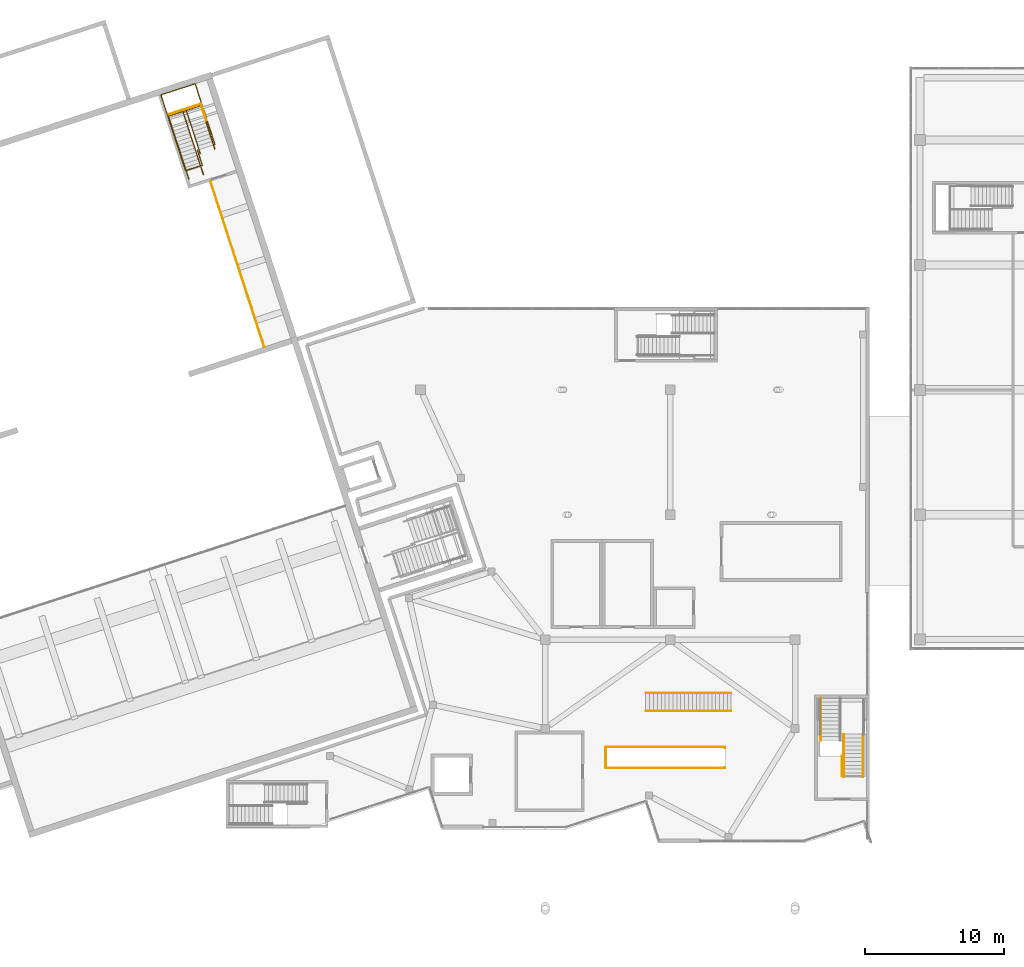
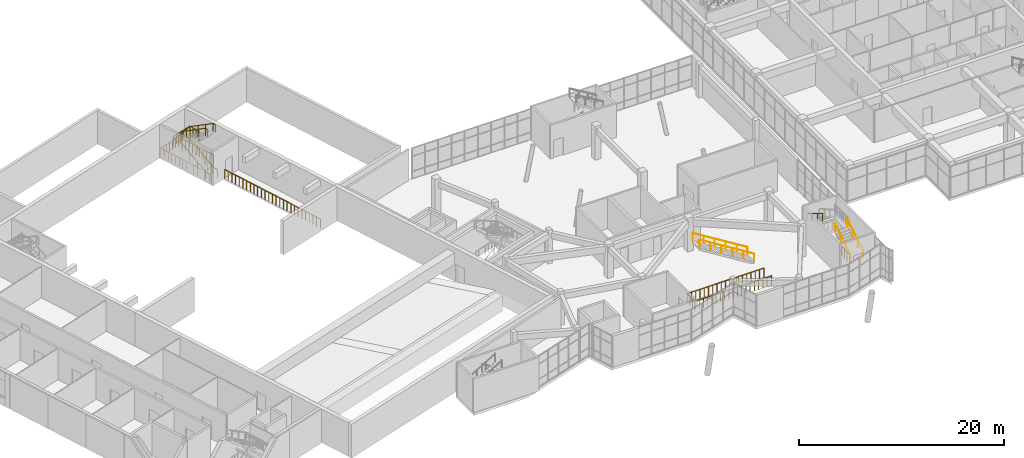
# One storey, part 63 of 66: 15 railings.
"""IFC4 building model written with IfcOpenShell, lengths in metres."""

from ifc_helpers import new_model, si_unit, direction, frame, origin, origin_2d, place, context, subcontext, project, spatial, circle, extrude, material, type_object, element, save


model = new_model("IFC4")

# Units and contexts
model_context = context("Model", 3, precision=1e-05, world=origin(), true_north=direction((0.0, 1.0)))
body_context = subcontext(model_context, "Body", "Model", "MODEL_VIEW")
ifc_project = project(units=[si_unit("LENGTHUNIT", "METRE"), si_unit("AREAUNIT", "SQUARE_METRE"), si_unit("VOLUMEUNIT", "CUBIC_METRE"), si_unit("PLANEANGLEUNIT", "RADIAN"), si_unit("MASSUNIT", "GRAM", prefix="KILO")], contexts=[model_context])

# Site, building, storey
site_placement = place(None, origin())
site = spatial("IfcSite", under=ifc_project, at=site_placement, CompositionType="ELEMENT")
building_placement = place(site_placement, origin())
building = spatial("IfcBuilding", under=site, at=building_placement, Name="Tuart Plaza Theatre", CompositionType="ELEMENT")
storey_placement = place(building_placement, frame((0.0, 0.0, 5.5)))
storey = spatial("IfcBuildingStorey", under=building, at=storey_placement, Name="L01", CompositionType="ELEMENT", Elevation=5.5)

# Railings
ifc_material_1 = material(Name="Steel Grade C350L0", Category="steel")
railing_type_1 = type_object("IfcRailingType", Name="RAILING Guard 1100", PredefinedType="GUARDRAIL", material=ifc_material_1)
railing_1_placement = place(storey_placement, frame((59.29833984375, 95.2548828125, 0.0)))
element("IfcRailing", 1, at=railing_1_placement, inside=storey, type_object=railing_type_1, Name="GR72", PredefinedType="GUARDRAIL", context=body_context, shape_type="SweptSolid", body=[
    extrude(circle(Radius=0.02490234375, at=origin_2d()), frame((0.0, 0.0, 1.0751953125), z_axis=(0.951068697047, 0.308979503362, 0.0), x_axis=(-0.308979503362, 0.951068697047, 0.0)), (0.0, 0.0, 1.0), 2.590087890625),
    extrude(circle(Radius=0.02490234375, at=origin_2d()), frame((2.46337890625, 0.80029296875, 1.0751953125), z_axis=(0.308998177192, -0.951062630163, 0.0), x_axis=(0.951062630163, 0.308998177192, 0.0)), (0.0, 0.0, 1.0), 4.5849609375),
    extrude(circle(Radius=0.02490234375, at=origin_2d()), frame((3.880126953125, -3.560302734375, 1.0751953125), z_axis=(-0.950834228174, -0.309700291463, 0.0), x_axis=(0.309700291463, -0.950834228174, 0.0)), (0.0, 0.0, 1.0), 0.044921875),
    extrude(circle(Radius=0.02001953125, at=origin_2d()), origin(), (0.0, 0.0, 1.0), 1.050048828125),
    extrude(circle(Radius=0.02001953125, at=origin_2d()), frame((0.41064453125, 0.13330078125, 0.0)), (0.0, 0.0, 1.0), 1.050048828125),
    extrude(circle(Radius=0.02001953125, at=origin_2d()), frame((0.821044921875, 0.266845703125, 0.0)), (0.0, 0.0, 1.0), 1.050048828125),
    extrude(circle(Radius=0.02001953125, at=origin_2d()), frame((1.231689453125, 0.400146484375, 0.0)), (0.0, 0.0, 1.0), 1.050048828125),
    extrude(circle(Radius=0.02001953125, at=origin_2d()), frame((1.642333984375, 0.533447265625, 0.0)), (0.0, 0.0, 1.0), 1.050048828125),
    extrude(circle(Radius=0.02001953125, at=origin_2d()), frame((2.052734375, 0.6669921875, 0.0)), (0.0, 0.0, 1.0), 1.050048828125),
    extrude(circle(Radius=0.02001953125, at=origin_2d()), frame((2.46337890625, 0.80029296875, 0.0)), (0.0, 0.0, 1.0), 1.050048828125),
    extrude(circle(Radius=0.02001953125, at=origin_2d()), frame((2.60498046875, 0.3642578125, 0.0)), (0.0, 0.0, 1.0), 1.050048828125),
    extrude(circle(Radius=0.02001953125, at=origin_2d()), frame((2.746826171875, -0.07177734375, 0.0)), (0.0, 0.0, 1.0), 1.050048828125),
    extrude(circle(Radius=0.02001953125, at=origin_2d()), frame((2.888427734375, -0.5078125, 0.0)), (0.0, 0.0, 1.0), 1.050048828125),
    extrude(circle(Radius=0.02001953125, at=origin_2d()), frame((3.030029296875, -0.94384765625, 0.0)), (0.0, 0.0, 1.0), 1.050048828125),
    extrude(circle(Radius=0.02001953125, at=origin_2d()), frame((3.171875, -1.3798828125, 0.0)), (0.0, 0.0, 1.0), 1.050048828125),
    extrude(circle(Radius=0.02001953125, at=origin_2d()), frame((3.3134765625, -1.816162109375, 0.0)), (0.0, 0.0, 1.0), 1.050048828125),
    extrude(circle(Radius=0.02001953125, at=origin_2d()), frame((3.455078125, -2.252197265625, 0.0)), (0.0, 0.0, 1.0), 1.050048828125),
    extrude(circle(Radius=0.02001953125, at=origin_2d()), frame((3.5966796875, -2.688232421875, 0.0)), (0.0, 0.0, 1.0), 1.050048828125),
    extrude(circle(Radius=0.02001953125, at=origin_2d()), frame((3.738525390625, -3.124267578125, 0.0)), (0.0, 0.0, 1.0), 1.050048828125),
    extrude(circle(Radius=0.02001953125, at=origin_2d()), frame((3.880126953125, -3.560302734375, 0.0)), (0.0, 0.0, 1.0), 1.050048828125),
    extrude(circle(Radius=0.02001953125, at=origin_2d()), frame((3.83740234375, -3.57421875, 0.0)), (0.0, 0.0, 1.0), 1.050048828125),
])
railing_2_placement = place(storey_placement, frame((61.919921875, 91.280517578125, 0.0)))
element("IfcRailing", 2, at=railing_2_placement, inside=storey, type_object=railing_type_1, Name="GR73", PredefinedType="GUARDRAIL", context=body_context, shape_type="SweptSolid", body=[
    extrude(circle(Radius=0.02490234375, at=origin_2d()), frame((0.0, 0.0, 1.0751953125), z_axis=(0.308990492345, -0.951065126918, 0.0), x_axis=(0.951065126918, 0.308990492345, 0.0)), (0.0, 0.0, 1.0), 1.1552734375),
    extrude(circle(Radius=0.02490234375, at=origin_2d()), frame((0.35693359375, -1.0986328125, 1.0751953125), z_axis=(-0.95106810125, -0.308981337277, 0.0), x_axis=(0.308981337277, -0.95106810125, 0.0)), (0.0, 0.0, 1.0), 1.26513671875),
    extrude(circle(Radius=0.02490234375, at=origin_2d()), frame((-0.84619140625, -1.489501953125, 1.0751953125), z_axis=(-0.309028417967, 0.951052804469, 0.0), x_axis=(-0.951052804469, -0.309028417967, 0.0)), (0.0, 0.0, 1.0), 5.7451171875),
    extrude(circle(Radius=0.02001953125, at=origin_2d()), origin(), (0.0, 0.0, 1.0), 1.050048828125),
    extrude(circle(Radius=0.02001953125, at=origin_2d()), frame((0.118896484375, -0.3662109375, 0.0)), (0.0, 0.0, 1.0), 1.050048828125),
    extrude(circle(Radius=0.02001953125, at=origin_2d()), frame((0.238037109375, -0.732421875, 0.0)), (0.0, 0.0, 1.0), 1.050048828125),
    extrude(circle(Radius=0.02001953125, at=origin_2d()), frame((0.35693359375, -1.0986328125, 0.0)), (0.0, 0.0, 1.0), 1.050048828125),
    extrude(circle(Radius=0.02001953125, at=origin_2d()), frame((-0.044189453125, -1.22900390625, 0.0)), (0.0, 0.0, 1.0), 1.050048828125),
    extrude(circle(Radius=0.02001953125, at=origin_2d()), frame((-0.445068359375, -1.359130859375, 0.0)), (0.0, 0.0, 1.0), 1.050048828125),
    extrude(circle(Radius=0.02001953125, at=origin_2d()), frame((-0.84619140625, -1.489501953125, 0.0)), (0.0, 0.0, 1.0), 1.050048828125),
    extrude(circle(Radius=0.02001953125, at=origin_2d()), frame((-0.994140625, -1.0341796875, 0.0)), (0.0, 0.0, 1.0), 1.050048828125),
    extrude(circle(Radius=0.02001953125, at=origin_2d()), frame((-1.14208984375, -0.578857421875, 0.0)), (0.0, 0.0, 1.0), 1.050048828125),
    extrude(circle(Radius=0.02001953125, at=origin_2d()), frame((-1.2900390625, -0.12353515625, 0.0)), (0.0, 0.0, 1.0), 1.050048828125),
    extrude(circle(Radius=0.02001953125, at=origin_2d()), frame((-1.43798828125, 0.331787109375, 0.0)), (0.0, 0.0, 1.0), 1.050048828125),
    extrude(circle(Radius=0.02001953125, at=origin_2d()), frame((-1.5859375, 0.787109375, 0.0)), (0.0, 0.0, 1.0), 1.050048828125),
    extrude(circle(Radius=0.02001953125, at=origin_2d()), frame((-1.73388671875, 1.242431640625, 0.0)), (0.0, 0.0, 1.0), 1.050048828125),
    extrude(circle(Radius=0.02001953125, at=origin_2d()), frame((-1.8818359375, 1.69775390625, 0.0)), (0.0, 0.0, 1.0), 1.050048828125),
    extrude(circle(Radius=0.02001953125, at=origin_2d()), frame((-2.02978515625, 2.153076171875, 0.0)), (0.0, 0.0, 1.0), 1.050048828125),
    extrude(circle(Radius=0.02001953125, at=origin_2d()), frame((-2.177734375, 2.6083984375, 0.0)), (0.0, 0.0, 1.0), 1.050048828125),
    extrude(circle(Radius=0.02001953125, at=origin_2d()), frame((-2.32568359375, 3.063720703125, 0.0)), (0.0, 0.0, 1.0), 1.050048828125),
    extrude(circle(Radius=0.02001953125, at=origin_2d()), frame((-2.4736328125, 3.51904296875, 0.0)), (0.0, 0.0, 1.0), 1.050048828125),
    extrude(circle(Radius=0.02001953125, at=origin_2d()), frame((-2.62158203125, 3.974365234375, 0.0)), (0.0, 0.0, 1.0), 1.050048828125),
])
railing_3_placement = place(storey_placement, frame((59.880615234375, 93.85107421875, 2.0)))
element("IfcRailing", 3, at=railing_3_placement, inside=storey, type_object=railing_type_1, Name="GR78", PredefinedType="GUARDRAIL", context=body_context, shape_type="SweptSolid", body=[
    extrude(circle(Radius=0.02490234375, at=origin_2d()), frame((0.0, 0.0, 1.0751953125), z_axis=(0.951066681605, 0.308985707017, 0.0), x_axis=(-0.308985707017, 0.951066681605, 0.0)), (0.0, 0.0, 1.0), 2.420166015625),
    extrude(circle(Radius=0.02001953125, at=origin_2d()), origin(), (0.0, 0.0, 1.0), 1.050048828125),
    extrude(circle(Radius=0.02001953125, at=origin_2d()), frame((0.46044921875, 0.149658203125, 0.0)), (0.0, 0.0, 1.0), 1.050048828125),
    extrude(circle(Radius=0.02001953125, at=origin_2d()), frame((0.920654296875, 0.299072265625, 0.0)), (0.0, 0.0, 1.0), 1.050048828125),
    extrude(circle(Radius=0.02001953125, at=origin_2d()), frame((1.381103515625, 0.44873046875, 0.0)), (0.0, 0.0, 1.0), 1.050048828125),
    extrude(circle(Radius=0.02001953125, at=origin_2d()), frame((1.84130859375, 0.59814453125, 0.0)), (0.0, 0.0, 1.0), 1.050048828125),
    extrude(circle(Radius=0.02001953125, at=origin_2d()), frame((2.3017578125, 0.747802734375, 0.0)), (0.0, 0.0, 1.0), 1.050048828125),
])
railing_4_placement = place(storey_placement, frame((62.182373046875, 94.598876953125, 2.0)))
element("IfcRailing", 4, at=railing_4_placement, inside=storey, type_object=railing_type_1, Name="GR79", PredefinedType="GUARDRAIL", context=body_context, shape_type="SweptSolid", body=[
    extrude(circle(Radius=0.02490234375, at=origin_2d()), frame((0.0, 0.0, 1.0751953125), z_axis=(0.309072606719, -0.951038444952, 0.0), x_axis=(0.951038444952, 0.309072606719, 0.0)), (0.0, 0.0, 1.0), 1.22998046875),
    extrude(circle(Radius=0.02001953125, at=origin_2d()), origin(), (0.0, 0.0, 1.0), 1.050048828125),
    extrude(circle(Radius=0.02001953125, at=origin_2d()), frame((0.126708984375, -0.389892578125, 0.0)), (0.0, 0.0, 1.0), 1.050048828125),
    extrude(circle(Radius=0.02001953125, at=origin_2d()), frame((0.25341796875, -0.77978515625, 0.0)), (0.0, 0.0, 1.0), 1.050048828125),
    extrude(circle(Radius=0.02001953125, at=origin_2d()), frame((0.380126953125, -1.169677734375, 0.0)), (0.0, 0.0, 1.0), 1.050048828125),
])
railing_5_placement = place(storey_placement, frame((66.750244140625, 77.09375, 0.0)))
element("IfcRailing", 5, at=railing_5_placement, inside=storey, type_object=railing_type_1, Name="GR114", PredefinedType="GUARDRAIL", context=body_context, shape_type="SweptSolid", body=[
    extrude(circle(Radius=0.02490234375, at=origin_2d()), frame((0.0, 0.0, 1.0751953125), z_axis=(-0.309017011458, 0.951056510744, 0.0), x_axis=(-0.951056510744, -0.309017011458, 0.0)), (0.0, 0.0, 1.0), 12.550048828125),
    extrude(circle(Radius=0.02001953125, at=origin_2d()), origin(), (0.0, 0.0, 1.0), 1.050048828125),
    extrude(circle(Radius=0.02001953125, at=origin_2d()), frame((-0.149169921875, 0.458984375, 0.0)), (0.0, 0.0, 1.0), 1.050048828125),
    extrude(circle(Radius=0.02001953125, at=origin_2d()), frame((-0.29833984375, 0.918212890625, 0.0)), (0.0, 0.0, 1.0), 1.050048828125),
    extrude(circle(Radius=0.02001953125, at=origin_2d()), frame((-0.447509765625, 1.377197265625, 0.0)), (0.0, 0.0, 1.0), 1.050048828125),
    extrude(circle(Radius=0.02001953125, at=origin_2d()), frame((-0.5966796875, 1.836181640625, 0.0)), (0.0, 0.0, 1.0), 1.050048828125),
    extrude(circle(Radius=0.02001953125, at=origin_2d()), frame((-0.745849609375, 2.29541015625, 0.0)), (0.0, 0.0, 1.0), 1.050048828125),
    extrude(circle(Radius=0.02001953125, at=origin_2d()), frame((-0.89501953125, 2.75439453125, 0.0)), (0.0, 0.0, 1.0), 1.050048828125),
    extrude(circle(Radius=0.02001953125, at=origin_2d()), frame((-1.044189453125, 3.21337890625, 0.0)), (0.0, 0.0, 1.0), 1.050048828125),
    extrude(circle(Radius=0.02001953125, at=origin_2d()), frame((-1.193359375, 3.672607421875, 0.0)), (0.0, 0.0, 1.0), 1.050048828125),
    extrude(circle(Radius=0.02001953125, at=origin_2d()), frame((-1.342529296875, 4.131591796875, 0.0)), (0.0, 0.0, 1.0), 1.050048828125),
    extrude(circle(Radius=0.02001953125, at=origin_2d()), frame((-1.49169921875, 4.590576171875, 0.0)), (0.0, 0.0, 1.0), 1.050048828125),
    extrude(circle(Radius=0.02001953125, at=origin_2d()), frame((-1.640869140625, 5.0498046875, 0.0)), (0.0, 0.0, 1.0), 1.050048828125),
    extrude(circle(Radius=0.02001953125, at=origin_2d()), frame((-1.7900390625, 5.5087890625, 0.0)), (0.0, 0.0, 1.0), 1.050048828125),
    extrude(circle(Radius=0.02001953125, at=origin_2d()), frame((-1.93896484375, 5.9677734375, 0.0)), (0.0, 0.0, 1.0), 1.050048828125),
    extrude(circle(Radius=0.02001953125, at=origin_2d()), frame((-2.088134765625, 6.427001953125, 0.0)), (0.0, 0.0, 1.0), 1.050048828125),
    extrude(circle(Radius=0.02001953125, at=origin_2d()), frame((-2.2373046875, 6.885986328125, 0.0)), (0.0, 0.0, 1.0), 1.050048828125),
    extrude(circle(Radius=0.02001953125, at=origin_2d()), frame((-2.386474609375, 7.34521484375, 0.0)), (0.0, 0.0, 1.0), 1.050048828125),
    extrude(circle(Radius=0.02001953125, at=origin_2d()), frame((-2.53564453125, 7.80419921875, 0.0)), (0.0, 0.0, 1.0), 1.050048828125),
    extrude(circle(Radius=0.02001953125, at=origin_2d()), frame((-2.684814453125, 8.26318359375, 0.0)), (0.0, 0.0, 1.0), 1.050048828125),
    extrude(circle(Radius=0.02001953125, at=origin_2d()), frame((-2.833984375, 8.722412109375, 0.0)), (0.0, 0.0, 1.0), 1.050048828125),
    extrude(circle(Radius=0.02001953125, at=origin_2d()), frame((-2.983154296875, 9.181396484375, 0.0)), (0.0, 0.0, 1.0), 1.050048828125),
    extrude(circle(Radius=0.02001953125, at=origin_2d()), frame((-3.13232421875, 9.640380859375, 0.0)), (0.0, 0.0, 1.0), 1.050048828125),
    extrude(circle(Radius=0.02001953125, at=origin_2d()), frame((-3.281494140625, 10.099609375, 0.0)), (0.0, 0.0, 1.0), 1.050048828125),
    extrude(circle(Radius=0.02001953125, at=origin_2d()), frame((-3.4306640625, 10.55859375, 0.0)), (0.0, 0.0, 1.0), 1.050048828125),
    extrude(circle(Radius=0.02001953125, at=origin_2d()), frame((-3.579833984375, 11.017578125, 0.0)), (0.0, 0.0, 1.0), 1.050048828125),
    extrude(circle(Radius=0.02001953125, at=origin_2d()), frame((-3.72900390625, 11.476806640625, 0.0)), (0.0, 0.0, 1.0), 1.050048828125),
    extrude(circle(Radius=0.02001953125, at=origin_2d()), frame((-3.878173828125, 11.935791015625, 0.0)), (0.0, 0.0, 1.0), 1.050048828125),
])
railing_6_placement = place(storey_placement, frame((108.3798828125, 46.159912109375, 0.0)))
element("IfcRailing", 6, at=railing_6_placement, inside=storey, type_object=railing_type_1, Name="GR143", PredefinedType="GUARDRAIL", context=body_context, shape_type="SweptSolid", body=[
    extrude(circle(Radius=0.02490234375, at=origin_2d()), frame((0.0, 0.0, 1.0751953125), z_axis=(0.0, 1.0, 0.0), x_axis=(-1.0, 0.0, 0.0)), (0.0, 0.0, 1.0), 1.455078125),
    extrude(circle(Radius=0.02001953125, at=origin_2d()), origin(), (0.0, 0.0, 1.0), 1.050048828125),
    extrude(circle(Radius=0.02001953125, at=origin_2d()), frame((0.0, 0.485107421875, 0.0)), (0.0, 0.0, 1.0), 1.050048828125),
    extrude(circle(Radius=0.02001953125, at=origin_2d()), frame((0.0, 0.969970703125, 0.0)), (0.0, 0.0, 1.0), 1.050048828125),
    extrude(circle(Radius=0.02001953125, at=origin_2d()), frame((0.0, 1.455078125, 0.0)), (0.0, 0.0, 1.0), 1.050048828125),
])
railing_7_placement = place(storey_placement, frame((91.360107421875, 46.75, 0.0)))
element("IfcRailing", 7, at=railing_7_placement, inside=storey, type_object=railing_type_1, Name="GR175", PredefinedType="GUARDRAIL", context=body_context, shape_type="SweptSolid", body=[
    extrude(circle(Radius=0.02490234375, at=origin_2d()), frame((0.0, 0.0, 1.0751953125), z_axis=(1.0, 0.0, 0.0), x_axis=(0.0, 1.0, 0.0)), (0.0, 0.0, 1.0), 8.599853515625),
    extrude(circle(Radius=0.02490234375, at=origin_2d()), frame((8.599853515625, 0.0, 1.0751953125), z_axis=(0.0, 1.0, 0.0), x_axis=(-1.0, 0.0, 0.0)), (0.0, 0.0, 1.0), 0.044921875),
    extrude(circle(Radius=0.02001953125, at=origin_2d()), origin(), (0.0, 0.0, 1.0), 1.050048828125),
    extrude(circle(Radius=0.02001953125, at=origin_2d()), frame((0.477783203125, 0.0, 0.0)), (0.0, 0.0, 1.0), 1.050048828125),
    extrude(circle(Radius=0.02001953125, at=origin_2d()), frame((0.95556640625, 0.0, 0.0)), (0.0, 0.0, 1.0), 1.050048828125),
    extrude(circle(Radius=0.02001953125, at=origin_2d()), frame((1.433349609375, 0.0, 0.0)), (0.0, 0.0, 1.0), 1.050048828125),
    extrude(circle(Radius=0.02001953125, at=origin_2d()), frame((1.9111328125, 0.0, 0.0)), (0.0, 0.0, 1.0), 1.050048828125),
    extrude(circle(Radius=0.02001953125, at=origin_2d()), frame((2.388916015625, 0.0, 0.0)), (0.0, 0.0, 1.0), 1.050048828125),
    extrude(circle(Radius=0.02001953125, at=origin_2d()), frame((2.86669921875, 0.0, 0.0)), (0.0, 0.0, 1.0), 1.050048828125),
    extrude(circle(Radius=0.02001953125, at=origin_2d()), frame((3.344482421875, 0.0, 0.0)), (0.0, 0.0, 1.0), 1.050048828125),
    extrude(circle(Radius=0.02001953125, at=origin_2d()), frame((3.822265625, 0.0, 0.0)), (0.0, 0.0, 1.0), 1.050048828125),
    extrude(circle(Radius=0.02001953125, at=origin_2d()), frame((4.2998046875, 0.0, 0.0)), (0.0, 0.0, 1.0), 1.050048828125),
    extrude(circle(Radius=0.02001953125, at=origin_2d()), frame((4.777587890625, 0.0, 0.0)), (0.0, 0.0, 1.0), 1.050048828125),
    extrude(circle(Radius=0.02001953125, at=origin_2d()), frame((5.25537109375, 0.0, 0.0)), (0.0, 0.0, 1.0), 1.050048828125),
    extrude(circle(Radius=0.02001953125, at=origin_2d()), frame((5.733154296875, 0.0, 0.0)), (0.0, 0.0, 1.0), 1.050048828125),
    extrude(circle(Radius=0.02001953125, at=origin_2d()), frame((6.2109375, 0.0, 0.0)), (0.0, 0.0, 1.0), 1.050048828125),
    extrude(circle(Radius=0.02001953125, at=origin_2d()), frame((6.688720703125, 0.0, 0.0)), (0.0, 0.0, 1.0), 1.050048828125),
    extrude(circle(Radius=0.02001953125, at=origin_2d()), frame((7.16650390625, 0.0, 0.0)), (0.0, 0.0, 1.0), 1.050048828125),
    extrude(circle(Radius=0.02001953125, at=origin_2d()), frame((7.644287109375, 0.0, 0.0)), (0.0, 0.0, 1.0), 1.050048828125),
    extrude(circle(Radius=0.02001953125, at=origin_2d()), frame((8.1220703125, 0.0, 0.0)), (0.0, 0.0, 1.0), 1.050048828125),
    extrude(circle(Radius=0.02001953125, at=origin_2d()), frame((8.599853515625, 0.0, 0.0)), (0.0, 0.0, 1.0), 1.050048828125),
    extrude(circle(Radius=0.02001953125, at=origin_2d()), frame((8.599853515625, 0.044921875, 0.0)), (0.0, 0.0, 1.0), 1.050048828125),
])
railing_8_placement = place(storey_placement, frame((99.9599609375, 48.205078125, 0.0)))
element("IfcRailing", 8, at=railing_8_placement, inside=storey, type_object=railing_type_1, Name="GR176", PredefinedType="GUARDRAIL", context=body_context, shape_type="SweptSolid", body=[
    extrude(circle(Radius=0.02490234375, at=origin_2d()), frame((0.0, 0.0, 1.0751953125), z_axis=(0.0, 1.0, 0.0), x_axis=(-1.0, 0.0, 0.0)), (0.0, 0.0, 1.0), 0.044921875),
    extrude(circle(Radius=0.02490234375, at=origin_2d()), frame((0.0, 0.044921875, 1.0751953125), z_axis=(-1.0, 0.0, 0.0), x_axis=(0.0, -1.0, 0.0)), (0.0, 0.0, 1.0), 8.599853515625),
    extrude(circle(Radius=0.02490234375, at=origin_2d()), frame((-8.599853515625, 0.044921875, 1.0751953125), z_axis=(0.0, -1.0, 0.0), x_axis=(1.0, 0.0, 0.0)), (0.0, 0.0, 1.0), 1.5),
    extrude(circle(Radius=0.02001953125, at=origin_2d()), origin(), (0.0, 0.0, 1.0), 1.050048828125),
    extrude(circle(Radius=0.02001953125, at=origin_2d()), frame((0.0, 0.044921875, 0.0)), (0.0, 0.0, 1.0), 1.050048828125),
    extrude(circle(Radius=0.02001953125, at=origin_2d()), frame((-0.477783203125, 0.044921875, 0.0)), (0.0, 0.0, 1.0), 1.050048828125),
    extrude(circle(Radius=0.02001953125, at=origin_2d()), frame((-0.95556640625, 0.044921875, 0.0)), (0.0, 0.0, 1.0), 1.050048828125),
    extrude(circle(Radius=0.02001953125, at=origin_2d()), frame((-1.433349609375, 0.044921875, 0.0)), (0.0, 0.0, 1.0), 1.050048828125),
    extrude(circle(Radius=0.02001953125, at=origin_2d()), frame((-1.9111328125, 0.044921875, 0.0)), (0.0, 0.0, 1.0), 1.050048828125),
    extrude(circle(Radius=0.02001953125, at=origin_2d()), frame((-2.388916015625, 0.044921875, 0.0)), (0.0, 0.0, 1.0), 1.050048828125),
    extrude(circle(Radius=0.02001953125, at=origin_2d()), frame((-2.86669921875, 0.044921875, 0.0)), (0.0, 0.0, 1.0), 1.050048828125),
    extrude(circle(Radius=0.02001953125, at=origin_2d()), frame((-3.344482421875, 0.044921875, 0.0)), (0.0, 0.0, 1.0), 1.050048828125),
    extrude(circle(Radius=0.02001953125, at=origin_2d()), frame((-3.822265625, 0.044921875, 0.0)), (0.0, 0.0, 1.0), 1.050048828125),
    extrude(circle(Radius=0.02001953125, at=origin_2d()), frame((-4.2998046875, 0.044921875, 0.0)), (0.0, 0.0, 1.0), 1.050048828125),
    extrude(circle(Radius=0.02001953125, at=origin_2d()), frame((-4.777587890625, 0.044921875, 0.0)), (0.0, 0.0, 1.0), 1.050048828125),
    extrude(circle(Radius=0.02001953125, at=origin_2d()), frame((-5.25537109375, 0.044921875, 0.0)), (0.0, 0.0, 1.0), 1.050048828125),
    extrude(circle(Radius=0.02001953125, at=origin_2d()), frame((-5.733154296875, 0.044921875, 0.0)), (0.0, 0.0, 1.0), 1.050048828125),
    extrude(circle(Radius=0.02001953125, at=origin_2d()), frame((-6.2109375, 0.044921875, 0.0)), (0.0, 0.0, 1.0), 1.050048828125),
    extrude(circle(Radius=0.02001953125, at=origin_2d()), frame((-6.688720703125, 0.044921875, 0.0)), (0.0, 0.0, 1.0), 1.050048828125),
    extrude(circle(Radius=0.02001953125, at=origin_2d()), frame((-7.16650390625, 0.044921875, 0.0)), (0.0, 0.0, 1.0), 1.050048828125),
    extrude(circle(Radius=0.02001953125, at=origin_2d()), frame((-7.644287109375, 0.044921875, 0.0)), (0.0, 0.0, 1.0), 1.050048828125),
    extrude(circle(Radius=0.02001953125, at=origin_2d()), frame((-8.1220703125, 0.044921875, 0.0)), (0.0, 0.0, 1.0), 1.050048828125),
    extrude(circle(Radius=0.02001953125, at=origin_2d()), frame((-8.599853515625, 0.044921875, 0.0)), (0.0, 0.0, 1.0), 1.050048828125),
    extrude(circle(Radius=0.02001953125, at=origin_2d()), frame((-8.599853515625, -0.455078125, 0.0)), (0.0, 0.0, 1.0), 1.050048828125),
    extrude(circle(Radius=0.02001953125, at=origin_2d()), frame((-8.599853515625, -0.955078125, 0.0)), (0.0, 0.0, 1.0), 1.050048828125),
    extrude(circle(Radius=0.02001953125, at=origin_2d()), frame((-8.599853515625, -1.455078125, 0.0)), (0.0, 0.0, 1.0), 1.050048828125),
])
ifc_material_2 = material(Name="Steel Grade C350L0", Category="steel")
railing_type_2 = type_object("IfcRailingType", Name="RAILING Handrail 900", PredefinedType="HANDRAIL", material=ifc_material_2)
railing_9_placement = place(storey_placement, frame((62.36181640625, 89.515625, 0.0)))
element("IfcRailing", 9, at=railing_9_placement, inside=storey, type_object=railing_type_2, Name="HR43", PredefinedType="HANDRAIL", context=body_context, shape_type="SweptSolid", body=[
    extrude(circle(Radius=0.0224609375, at=origin_2d()), frame((0.0, 0.0, 0.87744140625), z_axis=(-0.297609553916, 0.916355108697, 0.267809387779), x_axis=(-0.951096855055, -0.308892816854, 0.0)), (0.0, 0.0, 1.0), 0.62255859375),
    extrude(circle(Radius=0.0224609375, at=origin_2d()), frame((-0.185302734375, 0.570556640625, 1.044189453125), z_axis=(-0.265561944864, 0.817255136299, 0.511440021541), x_axis=(-0.951049794196, -0.309037682104, 0.0)), (0.0, 0.0, 1.0), 3.58447265625),
    extrude(circle(Radius=0.0224609375, at=origin_2d()), frame((-1.13720703125, 3.5, 2.87744140625), z_axis=(-0.308960600764, 0.951074837842, 0.0), x_axis=(-0.951074837842, -0.308960600764, 0.0)), (0.0, 0.0, 1.0), 1.099853515625),
    extrude(circle(Radius=0.0224609375, at=origin_2d()), frame((-1.47705078125, 4.546142578125, 2.87744140625), z_axis=(0.705499316443, 0.228888895273, 0.670731382984), x_axis=(-0.308600224758, 0.951191832008, 0.0)), (0.0, 0.0, 1.0), 0.337158203125),
    extrude(circle(Radius=0.0224609375, at=origin_2d()), frame((-1.2392578125, 4.623291015625, 3.103515625), z_axis=(0.265533988883, -0.817228016156, 0.511497869359), x_axis=(0.951056341824, 0.309017531343, 0.0)), (0.0, 0.0, 1.0), 3.468017578125),
    extrude(circle(Radius=0.0224609375, at=origin_2d()), frame((-0.318359375, 1.7890625, 4.87744140625), z_axis=(0.309380609282, -0.950938293792, 0.0), x_axis=(0.950938293792, 0.309380609282, 0.0)), (0.0, 0.0, 1.0), 0.2998046875),
    extrude(circle(Radius=0.01513671875, at=origin_2d()), origin(), (0.0, 0.0, 1.0), 0.85498046875),
    extrude(circle(Radius=0.01513671875, at=origin_2d()), frame((-0.185302734375, 0.570556640625, 0.166748046875)), (0.0, 0.0, 1.0), 0.85498046875),
    extrude(circle(Radius=0.01513671875, at=origin_2d()), frame((-0.502685546875, 1.547119140625, 0.77783203125)), (0.0, 0.0, 1.0), 0.85498046875),
    extrude(circle(Radius=0.01513671875, at=origin_2d()), frame((-0.81982421875, 2.5234375, 1.388916015625)), (0.0, 0.0, 1.0), 0.85498046875),
    extrude(circle(Radius=0.01513671875, at=origin_2d()), frame((-1.13720703125, 3.5, 2.0)), (0.0, 0.0, 1.0), 0.85498046875),
    extrude(circle(Radius=0.01513671875, at=origin_2d()), frame((-1.47705078125, 4.546142578125, 2.0)), (0.0, 0.0, 1.0), 0.85498046875),
    extrude(circle(Radius=0.01513671875, at=origin_2d()), frame((-1.2392578125, 4.623291015625, 2.22607421875)), (0.0, 0.0, 1.0), 0.85498046875),
    extrude(circle(Radius=0.01513671875, at=origin_2d()), frame((-0.932373046875, 3.678466796875, 2.8173828125)), (0.0, 0.0, 1.0), 0.85498046875),
    extrude(circle(Radius=0.01513671875, at=origin_2d()), frame((-0.625244140625, 2.73388671875, 3.40869140625)), (0.0, 0.0, 1.0), 0.85498046875),
    extrude(circle(Radius=0.01513671875, at=origin_2d()), frame((-0.318359375, 1.7890625, 4.0)), (0.0, 0.0, 1.0), 0.85498046875),
    extrude(circle(Radius=0.01513671875, at=origin_2d()), frame((-0.2255859375, 1.50390625, 4.0)), (0.0, 0.0, 1.0), 0.85498046875),
])
railing_10_placement = place(storey_placement, frame((61.315673828125, 89.17578125, 0.0)))
element("IfcRailing", 10, at=railing_10_placement, inside=storey, type_object=railing_type_2, Name="HR44", PredefinedType="HANDRAIL", context=body_context, shape_type="SweptSolid", body=[
    extrude(circle(Radius=0.0224609375, at=origin_2d()), frame((0.0, 0.0, 0.87744140625), z_axis=(-0.297609553916, 0.916355108697, 0.267809387779), x_axis=(-0.951096855055, -0.308892816854, 0.0)), (0.0, 0.0, 1.0), 0.62255859375),
    extrude(circle(Radius=0.0224609375, at=origin_2d()), frame((-0.185302734375, 0.570556640625, 1.044189453125), z_axis=(-0.265576727582, 0.817232515395, 0.511468491257), x_axis=(-0.951042223598, -0.309060979314, 0.0)), (0.0, 0.0, 1.0), 3.584228515625),
    extrude(circle(Radius=0.0224609375, at=origin_2d()), frame((-1.13720703125, 3.499755859375, 2.87744140625), z_axis=(-0.308960600764, 0.951074837842, 0.0), x_axis=(-0.951074837842, -0.308960600764, 0.0)), (0.0, 0.0, 1.0), 1.099853515625),
    extrude(circle(Radius=0.0224609375, at=origin_2d()), frame((-1.47705078125, 4.5458984375, 2.87744140625), z_axis=(0.947034141024, 0.307706713256, 0.091885332627), x_axis=(-0.309013967595, 0.95105749975, 0.0)), (0.0, 0.0, 1.0), 2.46044921875),
    extrude(circle(Radius=0.0224609375, at=origin_2d()), frame((0.85302734375, 5.302978515625, 3.103515625), z_axis=(0.265549265619, -0.817204632901, 0.511527296921), x_axis=(0.951048517831, 0.309041610033, 0.0)), (0.0, 0.0, 1.0), 3.468017578125),
    extrude(circle(Radius=0.0224609375, at=origin_2d()), frame((1.77392578125, 2.468994140625, 4.87744140625), z_axis=(0.309141257546, -0.951016131768, 0.0), x_axis=(0.951016131768, 0.309141257546, 0.0)), (0.0, 0.0, 1.0), 0.300048828125),
    extrude(circle(Radius=0.01513671875, at=origin_2d()), origin(), (0.0, 0.0, 1.0), 0.85498046875),
    extrude(circle(Radius=0.01513671875, at=origin_2d()), frame((-0.185302734375, 0.570556640625, 0.166748046875)), (0.0, 0.0, 1.0), 0.85498046875),
    extrude(circle(Radius=0.01513671875, at=origin_2d()), frame((-0.502685546875, 1.546875, 0.77783203125)), (0.0, 0.0, 1.0), 0.85498046875),
    extrude(circle(Radius=0.01513671875, at=origin_2d()), frame((-0.81982421875, 2.5234375, 1.388916015625)), (0.0, 0.0, 1.0), 0.85498046875),
    extrude(circle(Radius=0.01513671875, at=origin_2d()), frame((-1.13720703125, 3.499755859375, 2.0)), (0.0, 0.0, 1.0), 0.85498046875),
    extrude(circle(Radius=0.01513671875, at=origin_2d()), frame((-1.47705078125, 4.5458984375, 2.0)), (0.0, 0.0, 1.0), 0.85498046875),
    extrude(circle(Radius=0.01513671875, at=origin_2d()), frame((-0.31201171875, 4.92431640625, 2.113037109375)), (0.0, 0.0, 1.0), 0.85498046875),
    extrude(circle(Radius=0.01513671875, at=origin_2d()), frame((0.85302734375, 5.302978515625, 2.22607421875)), (0.0, 0.0, 1.0), 0.85498046875),
    extrude(circle(Radius=0.01513671875, at=origin_2d()), frame((1.159912109375, 4.3583984375, 2.8173828125)), (0.0, 0.0, 1.0), 0.85498046875),
    extrude(circle(Radius=0.01513671875, at=origin_2d()), frame((1.467041015625, 3.41357421875, 3.40869140625)), (0.0, 0.0, 1.0), 0.85498046875),
    extrude(circle(Radius=0.01513671875, at=origin_2d()), frame((1.77392578125, 2.468994140625, 4.0)), (0.0, 0.0, 1.0), 0.85498046875),
    extrude(circle(Radius=0.01513671875, at=origin_2d()), frame((1.86669921875, 2.18359375, 4.0)), (0.0, 0.0, 1.0), 0.85498046875),
])
for number, where, name in (
    (11, (108.5048828125, 46.10009765625, 0.166748046875), "HR83"),
    (12, (109.905029296875, 46.10009765625, 0.166748046875), "HR84"),
):
    element("IfcRailing", number, at=place(storey_placement, frame(where)), inside=storey, type_object=railing_type_2, Name=name, PredefinedType="HANDRAIL", context=body_context, shape_type="SweptSolid", body=[
        extrude(circle(Radius=0.0224609375, at=origin_2d()), frame((0.0, 0.0, 0.87744140625), z_axis=(0.0, 0.859290745958, 0.51148745235), x_axis=(-1.0, 0.0, 0.0)), (0.0, 0.0, 1.0), 3.584228515625),
        extrude(circle(Radius=0.01513671875, at=origin_2d()), origin(), (0.0, 0.0, 1.0), 0.85498046875),
        extrude(circle(Radius=0.01513671875, at=origin_2d()), frame((0.0, 1.026611328125, 0.611083984375)), (0.0, 0.0, 1.0), 0.85498046875),
        extrude(circle(Radius=0.01513671875, at=origin_2d()), frame((0.0, 2.05322265625, 1.22216796875)), (0.0, 0.0, 1.0), 0.85498046875),
        extrude(circle(Radius=0.01513671875, at=origin_2d()), frame((0.0, 3.079833984375, 1.833251953125)), (0.0, 0.0, 1.0), 0.85498046875),
    ])
railing_11_placement = place(storey_placement, frame((106.85498046875, 51.800048828125, 2.166748046875)))
element("IfcRailing", 13, at=railing_11_placement, inside=storey, type_object=railing_type_2, Name="HR86", PredefinedType="HANDRAIL", context=body_context, shape_type="SweptSolid", body=[
    extrude(circle(Radius=0.0224609375, at=origin_2d()), frame((0.0, 0.0, 0.87744140625), z_axis=(0.0, -0.859308565015, 0.511457515432), x_axis=(1.0, 0.0, 0.0)), (0.0, 0.0, 1.0), 3.58447265625),
    extrude(circle(Radius=0.01513671875, at=origin_2d()), origin(), (0.0, 0.0, 1.0), 0.85498046875),
    extrude(circle(Radius=0.01513671875, at=origin_2d()), frame((0.0, -1.026611328125, 0.611083984375)), (0.0, 0.0, 1.0), 0.85498046875),
    extrude(circle(Radius=0.01513671875, at=origin_2d()), frame((0.0, -2.053466796875, 1.22216796875)), (0.0, 0.0, 1.0), 0.85498046875),
    extrude(circle(Radius=0.01513671875, at=origin_2d()), frame((0.0, -3.080078125, 1.833251953125)), (0.0, 0.0, 1.0), 0.85498046875),
])
for number, where, name in (
    (14, (100.39990234375, 50.85009765625, 0.173828125), "HR113"),
    (15, (100.39990234375, 52.14990234375, 0.173828125), "HR114"),
):
    element("IfcRailing", number, at=place(storey_placement, frame(where)), inside=storey, type_object=railing_type_2, Name=name, PredefinedType="HANDRAIL", context=body_context, shape_type="SweptSolid", body=[
        extrude(circle(Radius=0.0224609375, at=origin_2d()), frame((0.0, 0.0, 0.87744140625), z_axis=(-0.849468459523, 0.0, 0.527639399851), x_axis=(0.0, -1.0, 0.0)), (0.0, 0.0, 1.0), 7.25146484375),
        extrude(circle(Radius=0.01513671875, at=origin_2d()), origin(), (0.0, 0.0, 1.0), 0.85498046875),
        extrude(circle(Radius=0.01513671875, at=origin_2d()), frame((-1.23193359375, 0.0, 0.76513671875)), (0.0, 0.0, 1.0), 0.85498046875),
        extrude(circle(Radius=0.01513671875, at=origin_2d()), frame((-2.4638671875, 0.0, 1.530517578125)), (0.0, 0.0, 1.0), 0.85498046875),
        extrude(circle(Radius=0.01513671875, at=origin_2d()), frame((-3.696044921875, 0.0, 2.295654296875)), (0.0, 0.0, 1.0), 0.85498046875),
        extrude(circle(Radius=0.01513671875, at=origin_2d()), frame((-4.927978515625, 0.0, 3.06103515625)), (0.0, 0.0, 1.0), 0.85498046875),
        extrude(circle(Radius=0.01513671875, at=origin_2d()), frame((-6.159912109375, 0.0, 3.826171875)), (0.0, 0.0, 1.0), 0.85498046875),
    ])

save(model, "model.ifc")
